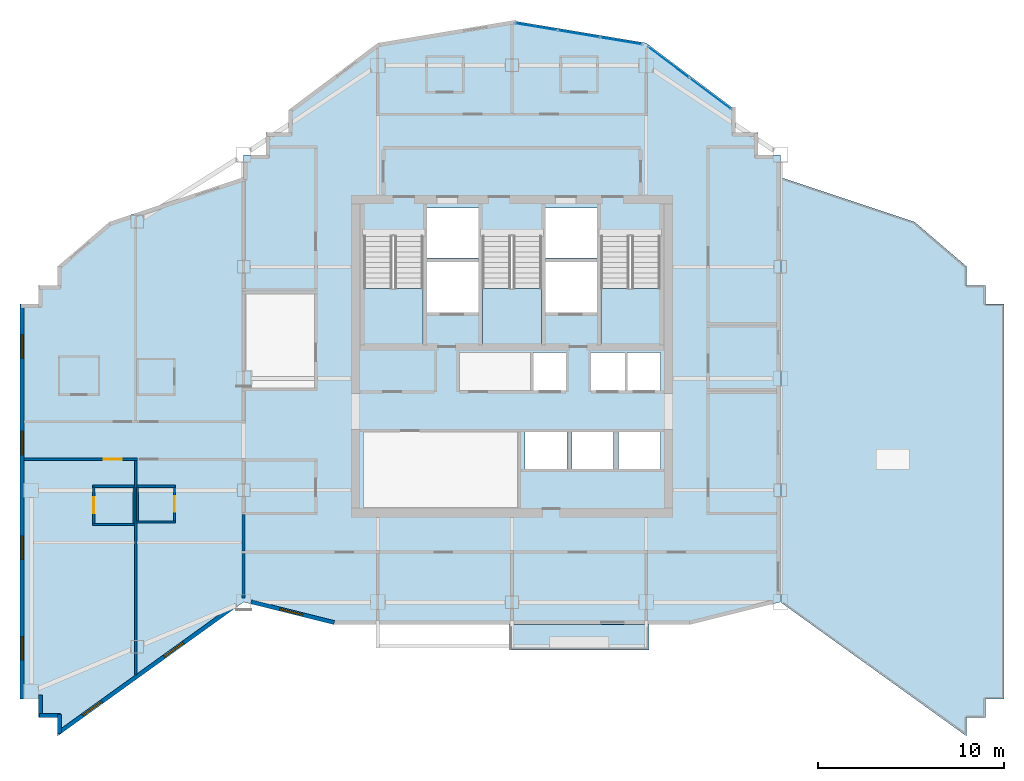
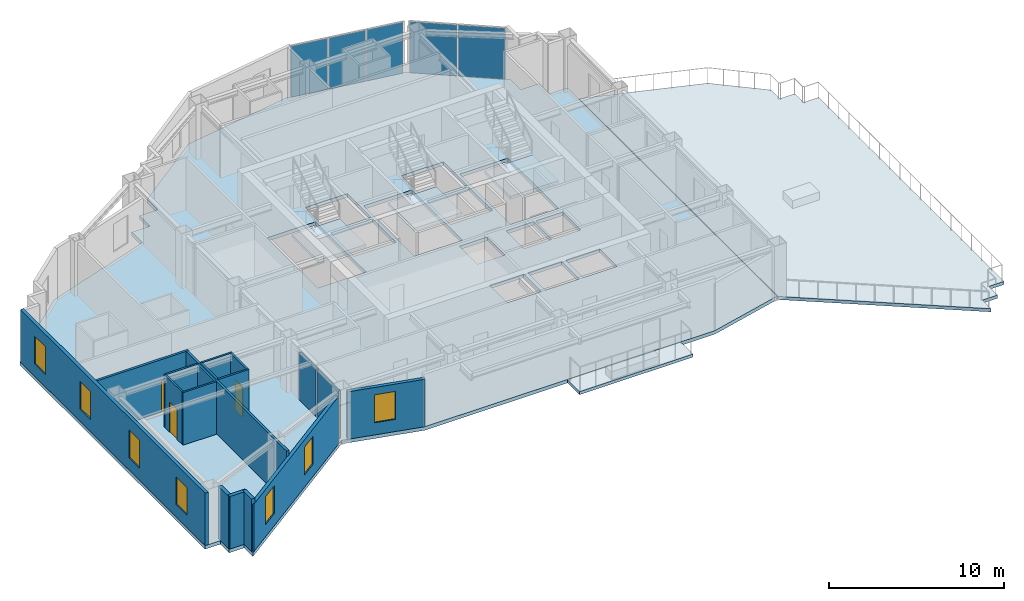
# One storey, part 4 of 10: 18 walls, 7 windows, 6 slabs, 5 plates, 3 doors, 10 openings, 5 elements without a shape of their own.
"""IFC4 building model written with IfcOpenShell, lengths in metres."""

from ifc_helpers import new_model, si_unit, direction, frame, frame_2d, origin, origin_2d, place, context, subcontext, project, spatial, polyline, rectangle, outline, extrude, material, layer, layer_set, type_object, element, fill, aggregate, save


model = new_model("IFC4")

# Units and contexts
model_context = context("Model", 3, precision=1e-05, world=origin(), true_north=direction((0.0, 1.0)))
body_context = subcontext(model_context, "Body", "Model", "MODEL_VIEW")
ifc_project = project(units=[si_unit("LENGTHUNIT", "METRE"), si_unit("AREAUNIT", "SQUARE_METRE"), si_unit("VOLUMEUNIT", "CUBIC_METRE"), si_unit("PLANEANGLEUNIT", "RADIAN"), si_unit("MASSUNIT", "GRAM", prefix="KILO")], contexts=[model_context])

# Site, building, storey
site_placement = place(None, origin())
site = spatial("IfcSite", under=ifc_project, at=site_placement, CompositionType="ELEMENT")
building_placement = place(site_placement, origin())
building = spatial("IfcBuilding", under=site, at=building_placement, Name="Haolan Belvedere Tower", CompositionType="ELEMENT")
storey_placement = place(building_placement, frame((0.0, 0.0, 235.199951171875)))
storey = spatial("IfcBuildingStorey", under=building, at=storey_placement, Name="L59", CompositionType="ELEMENT", Elevation=235.199951171875)

# Curtain wall, plates
ifc_material_1 = material(Name="Anodised champagne-silver aluminium 6063-T6 and Low-E glass", Category="aluminium")
ifc_layer_1 = layer(ifc_material_1, 0.14501953125, Name="Anodised champagne-silver aluminium 6063-T6 and Low-E glass")
ifc_layer_set_1 = layer_set([ifc_layer_1], Name="Anodised champagne-silver aluminium 6063-T6 and Low-E glass")
curtain_wall_type = type_object("IfcCurtainWallType", Name="CW-SYS-05", PredefinedType="NOTDEFINED", material=ifc_layer_set_1)
curtain_wall_1_placement = place(storey_placement, origin())
curtain_wall_1 = element("IfcCurtainWall", 1, at=curtain_wall_1_placement, inside=storey, type_object=curtain_wall_type, Name="L59 CW-SYS-05 ribbon curtain wall 8.1", PredefinedType="NOTDEFINED")
ifc_material_2 = material(Name="Double silver Low-E laminated insulating glass", Category="glass")
ifc_layer_2 = layer(ifc_material_2, 0.02197265625, Name="Double silver Low-E laminated insulating glass")
ifc_layer_set_2 = layer_set([ifc_layer_2], Name="Double silver Low-E laminated insulating glass")
plate_type = type_object("IfcPlateType", Name="CW-SYS-05-PNL", PredefinedType="CURTAIN_PANEL", material=ifc_layer_set_2)
plate_1_placement = place(storey_placement, frame((49.03955078125, 48.8828125, 0.0498046875), z_axis=(0.0, 0.0, 1.0), x_axis=(-0.799997871638, 0.600002837806, 0.0)))
plate_1 = element("IfcPlate", 2, at=plate_1_placement, type_object=plate_type, Name="CW-05 panel 1.1", PredefinedType="CURTAIN_PANEL", context=body_context, shape_type="SweptSolid", body=[
    extrude(rectangle(XDim=2.738037109375, YDim=0.02197265625, at=origin_2d()), origin(), (0.0, 0.0, 1.0), 3.570068359375),
])
plate_2_placement = place(storey_placement, frame((46.805908203125, 50.55810546875, 0.0498046875), z_axis=(0.0, 0.0, 1.0), x_axis=(-0.799997871638, 0.600002837806, 0.0)))
plate_2 = element("IfcPlate", 3, at=plate_2_placement, type_object=plate_type, Name="CW-05 panel 2.1", PredefinedType="CURTAIN_PANEL", context=body_context, shape_type="SweptSolid", body=[
    extrude(rectangle(XDim=2.738037109375, YDim=0.02197265625, at=origin_2d()), origin(), (0.0, 0.0, 1.0), 3.570068359375),
])
aggregate(curtain_wall_1, [plate_1, plate_2])

curtain_wall_2_placement = place(storey_placement, origin())
curtain_wall_2 = element("IfcCurtainWall", 4, at=curtain_wall_2_placement, inside=storey, type_object=curtain_wall_type, Name="L59 CW-SYS-05 ribbon curtain wall 9.1", PredefinedType="NOTDEFINED")
plate_3_placement = place(storey_placement, frame((44.257568359375, 51.712158203125, 0.0498046875), z_axis=(0.0, 0.0, 1.0), x_axis=(-0.98639276122, 0.164405962825, 0.0)))
plate_3 = element("IfcPlate", 5, at=plate_3_placement, type_object=plate_type, Name="CW-05 panel 1.1", PredefinedType="CURTAIN_PANEL", context=body_context, shape_type="SweptSolid", body=[
    extrude(rectangle(XDim=2.24365234375, YDim=0.02197265625, at=origin_2d()), origin(), (0.0, 0.0, 1.0), 3.570068359375),
])
plate_4_placement = place(storey_placement, frame((41.977783203125, 52.09228515625, 0.0498046875), z_axis=(0.0, 0.0, 1.0), x_axis=(-0.98639276122, 0.164405962825, 0.0)))
plate_4 = element("IfcPlate", 6, at=plate_4_placement, type_object=plate_type, Name="CW-05 panel 2.1", PredefinedType="CURTAIN_PANEL", context=body_context, shape_type="SweptSolid", body=[
    extrude(rectangle(XDim=2.270751953125, YDim=0.02197265625, at=origin_2d()), origin(), (0.0, 0.0, 1.0), 3.570068359375),
])
plate_5_placement = place(storey_placement, frame((39.697998046875, 52.47216796875, 0.0498046875), z_axis=(0.0, 0.0, 1.0), x_axis=(-0.98639276122, 0.164405962825, 0.0)))
plate_5 = element("IfcPlate", 7, at=plate_5_placement, type_object=plate_type, Name="CW-05 panel 3.1", PredefinedType="CURTAIN_PANEL", context=body_context, shape_type="SweptSolid", body=[
    extrude(rectangle(XDim=2.24365234375, YDim=0.02197265625, at=origin_2d()), origin(), (0.0, 0.0, 1.0), 3.570068359375),
])
aggregate(curtain_wall_2, [plate_3, plate_4, plate_5])

# Slabs
ifc_material_3 = material(Name="Concrete C40/50", Category="concrete")
ifc_layer_3 = layer(ifc_material_3, 0.2099609375, Name="Concrete C40/50")
ifc_layer_set_3 = layer_set([ifc_layer_3], Name="Concrete C40/50")
slab_type_1 = type_object("IfcSlabType", Name="SL-BAL-210", PredefinedType="FLOOR", material=ifc_layer_set_3)
slab_1_placement = place(storey_placement, frame((0.0, 0.0, -0.22998046875)))
element("IfcSlab", 8, at=slab_1_placement, inside=storey, type_object=slab_type_1, Name="L59 structural tree-planter balcony slab BAL-L59-S1", PredefinedType="FLOOR", context=body_context, shape_type="SweptSolid", body=[
    extrude(outline(polyline([(38.25, 19.02001953125), (45.75, 19.02001953125), (45.75, 20.39990234375), (38.25, 20.39990234375), (38.25, 19.02001953125)])), origin(), (0.0, 0.0, 1.0), 0.2099609375),
])
ifc_layer_4 = layer(ifc_material_3, 0.25, Name="Concrete C40/50")
ifc_layer_set_4 = layer_set([ifc_layer_4], Name="Concrete C40/50")
slab_type_2 = type_object("IfcSlabType", Name="SL-FLR-250", PredefinedType="FLOOR", material=ifc_layer_set_4)
slab_2_placement = place(storey_placement, frame((0.0, 0.0, -0.25)))
element("IfcSlab", 9, at=slab_2_placement, inside=storey, type_object=slab_type_2, Name="L59 structural floor slab", PredefinedType="FLOOR", context=body_context, shape_type="SweptSolid", body=[
    extrude(outline(polyline([(24.0, 21.60009765625), (28.800048828125, 20.39990234375), (48.0, 20.39990234375), (52.800048828125, 21.60009765625), (52.800048828125, 45.60009765625), (51.60009765625, 45.60009765625), (51.60009765625, 46.800048828125), (50.39990234375, 46.800048828125), (50.39990234375, 48.0), (45.60009765625, 51.60009765625), (38.39990234375, 52.800048828125), (31.199951171875, 51.60009765625), (26.39990234375, 48.0), (26.39990234375, 46.800048828125), (25.199951171875, 46.800048828125), (25.199951171875, 45.60009765625), (24.0, 45.60009765625), (24.0, 44.39990234375), (16.800048828125, 42.0), (14.0, 39.60009765625), (14.0, 38.60009765625), (13.0, 38.60009765625), (13.0, 37.60009765625), (12.0, 37.60009765625), (12.0, 16.800048828125), (12.0, 16.39990234375), (13.0, 16.39990234375), (13.0, 15.39990234375), (14.0, 15.39990234375), (14.0, 14.39990234375), (24.0, 21.60009765625)]), holes=[polyline([(30.449951171875, 41.22998046875), (30.449951171875, 35.449951171875), (33.6298828125, 35.449951171875), (33.6298828125, 41.22998046875), (30.449951171875, 41.22998046875)]), polyline([(36.81005859375, 41.22998046875), (36.81005859375, 35.449951171875), (39.989990234375, 35.449951171875), (39.989990234375, 41.22998046875), (36.81005859375, 41.22998046875)]), polyline([(43.169921875, 41.22998046875), (43.169921875, 35.449951171875), (46.35009765625, 35.449951171875), (46.35009765625, 41.22998046875), (43.169921875, 41.22998046875)]), polyline([(33.830078125, 40.050048828125), (36.610107421875, 40.050048828125), (36.610107421875, 42.75), (33.830078125, 42.75), (33.830078125, 40.050048828125)]), polyline([(33.830078125, 37.14990234375), (36.610107421875, 37.14990234375), (36.610107421875, 39.85009765625), (33.830078125, 39.85009765625), (33.830078125, 37.14990234375)]), polyline([(40.18994140625, 40.050048828125), (42.969970703125, 40.050048828125), (42.969970703125, 42.75), (40.18994140625, 42.75), (40.18994140625, 40.050048828125)]), polyline([(40.18994140625, 37.14990234375), (42.969970703125, 37.14990234375), (42.969970703125, 39.85009765625), (40.18994140625, 39.85009765625), (40.18994140625, 37.14990234375)]), polyline([(39.5400390625, 32.949951171875), (41.389892578125, 32.949951171875), (41.389892578125, 35.0), (39.5400390625, 35.0), (39.5400390625, 32.949951171875)]), polyline([(42.6201171875, 32.949951171875), (44.469970703125, 32.949951171875), (44.469970703125, 35.0), (42.6201171875, 35.0), (42.6201171875, 32.949951171875)]), polyline([(44.580078125, 32.949951171875), (46.3798828125, 32.949951171875), (46.3798828125, 35.0), (44.580078125, 35.0), (44.580078125, 32.949951171875)]), polyline([(39.10009765625, 28.75), (41.340087890625, 28.75), (41.340087890625, 30.75), (39.10009765625, 30.75), (39.10009765625, 28.75)]), polyline([(41.610107421875, 28.75), (43.85009765625, 28.75), (43.85009765625, 30.75), (41.610107421875, 30.75), (41.610107421875, 28.75)]), polyline([(44.1201171875, 28.75), (46.360107421875, 28.75), (46.360107421875, 30.75), (44.1201171875, 30.75), (44.1201171875, 28.75)])]), origin(), (0.0, 0.0, 1.0), 0.25),
])

# Stair, slab
stair_type = type_object("IfcStairType", Name="STR-DL-22R-175", PredefinedType="HALF_TURN_STAIR", material=ifc_material_3)
stair_1_placement = place(storey_placement, origin())
stair_1 = element("IfcStair", 10, at=stair_1_placement, inside=storey, type_object=stair_type, Name="L59 Smokeproof Core Exit Stair ST1", PredefinedType="HALF_TURN_STAIR")
ifc_layer_5 = layer(ifc_material_3, 0.199951171875, Name="Concrete C40/50")
ifc_layer_set_5 = layer_set([ifc_layer_5], Name="Concrete C40/50")
slab_type_3 = type_object("IfcSlabType", Name="SL-LAND-200", PredefinedType="LANDING", material=ifc_layer_set_5)
slab_3_placement = place(storey_placement, frame((0.0, 0.0, 1.72509765625)))
slab_3 = element("IfcSlab", 11, at=slab_3_placement, type_object=slab_type_3, Name="ST1 landing 1", PredefinedType="LANDING", context=body_context, shape_type="SweptSolid", body=[
    extrude(outline(polyline([(30.449951171875, 38.429931640625), (30.449951171875, 35.449951171875), (33.6298828125, 35.449951171875), (33.6298828125, 38.429931640625), (30.449951171875, 38.429931640625)])), origin(), (0.0, 0.0, 1.0), 0.199951171875),
])
aggregate(stair_1, [slab_3])

stair_2_placement = place(storey_placement, origin())
stair_2 = element("IfcStair", 12, at=stair_2_placement, inside=storey, type_object=stair_type, Name="L59 Smokeproof Core Exit Stair ST3", PredefinedType="HALF_TURN_STAIR")
slab_4_placement = place(storey_placement, frame((0.0, 0.0, 1.72509765625)))
slab_4 = element("IfcSlab", 13, at=slab_4_placement, type_object=slab_type_3, Name="ST3 landing 1", PredefinedType="LANDING", context=body_context, shape_type="SweptSolid", body=[
    extrude(outline(polyline([(36.81005859375, 38.429931640625), (36.81005859375, 35.449951171875), (39.989990234375, 35.449951171875), (39.989990234375, 38.429931640625), (36.81005859375, 38.429931640625)])), origin(), (0.0, 0.0, 1.0), 0.199951171875),
])
aggregate(stair_2, [slab_4])

stair_3_placement = place(storey_placement, origin())
stair_3 = element("IfcStair", 14, at=stair_3_placement, inside=storey, type_object=stair_type, Name="L59 Smokeproof Core Exit Stair ST2", PredefinedType="HALF_TURN_STAIR")
slab_5_placement = place(storey_placement, frame((0.0, 0.0, 1.72509765625)))
slab_5 = element("IfcSlab", 15, at=slab_5_placement, type_object=slab_type_3, Name="ST2 landing 1", PredefinedType="LANDING", context=body_context, shape_type="SweptSolid", body=[
    extrude(outline(polyline([(43.169921875, 38.429931640625), (43.169921875, 35.449951171875), (46.35009765625, 35.449951171875), (46.35009765625, 38.429931640625), (43.169921875, 38.429931640625)])), origin(), (0.0, 0.0, 1.0), 0.199951171875),
])
aggregate(stair_3, [slab_5])

# Slab
ifc_layer_6 = layer(ifc_material_3, 0.219970703125, Name="Concrete C40/50")
ifc_layer_set_6 = layer_set([ifc_layer_6], Name="Concrete C40/50")
slab_type_4 = type_object("IfcSlabType", Name="SL-TER-220", PredefinedType="FLOOR", material=ifc_layer_set_6)
slab_6_placement = place(storey_placement, frame((0.0, 0.0, -0.239990234375)))
element("IfcSlab", 16, at=slab_6_placement, inside=storey, type_object=slab_type_4, Name="L59 planted garden terrace slab 1", PredefinedType="FLOOR", context=body_context, shape_type="SweptSolid", body=[
    extrude(outline(polyline([(62.800048828125, 14.39990234375), (62.800048828125, 15.396240234375), (62.80029296875, 15.39990234375), (62.8037109375, 15.39990234375), (63.800048828125, 15.39990234375), (63.800048828125, 16.396240234375), (63.80029296875, 16.39990234375), (63.8037109375, 16.39990234375), (64.800048828125, 16.39990234375), (64.800048828125, 37.60009765625), (63.8037109375, 37.60009765625), (63.80029296875, 37.60009765625), (63.800048828125, 37.603759765625), (63.800048828125, 38.60009765625), (62.8037109375, 38.60009765625), (62.80029296875, 38.60009765625), (62.800048828125, 38.603759765625), (62.800048828125, 39.60009765625), (60.0, 42.0), (52.85009765625, 44.38330078125), (52.85009765625, 21.56396484375), (62.800048828125, 14.39990234375)])), origin(), (0.0, 0.0, 1.0), 0.219970703125),
])

# Wall, openings, windows
ifc_material_4 = material(Name="Precast concrete C40/50", Category="concrete")
ifc_layer_7 = layer(ifc_material_4, 0.219970703125, Name="Precast concrete C40/50")
ifc_layer_set_7 = layer_set([ifc_layer_7], Name="Precast concrete C40/50")
wall_type_1 = type_object("IfcWallType", Name="WL-EXT-220", PredefinedType="SOLIDWALL", material=ifc_layer_set_7)
wall_1_placement = place(storey_placement, frame((12.110107421875, 37.544921875, 0.0), z_axis=(0.0, 0.0, 1.0), x_axis=(0.0, -1.0, 0.0)))
wall_1 = element("IfcWall", 17, at=wall_1_placement, inside=storey, type_object=wall_type_1, Name="L59 pale-metal exterior spandrel wall 23.1", PredefinedType="SOLIDWALL", context=body_context, shape_type="SweptSolid", body=[
    extrude(rectangle(XDim=21.14501953125, YDim=0.219970703125, at=frame_2d((10.572509765625, 0.0))), origin(), (0.0, 0.0, 1.0), 3.670166015625),
])
opening_1_placement = place(wall_1_placement, frame((1.60009765625, 0.0, 0.85009765625)))
opening_1 = element("IfcOpeningElement", 18, at=opening_1_placement, cuts=wall_1, Name="Opening W-04", PredefinedType="OPENING", context=body_context, shape_type="SweptSolid", body=[
    extrude(rectangle(XDim=1.25, YDim=1.949951171875, at=frame_2d((0.625, 0.97509765625))), frame((0.0, 0.119873046875, 0.0), z_axis=(0.0, -1.0, 0.0), x_axis=(1.0, 0.0, 0.0)), (0.0, 0.0, 1.0), 0.239990234375),
])
opening_2_placement = place(wall_1_placement, frame((6.7900390625, 0.0, 0.85009765625)))
opening_2 = element("IfcOpeningElement", 19, at=opening_2_placement, cuts=wall_1, Name="Opening W-04", PredefinedType="OPENING", context=body_context, shape_type="SweptSolid", body=[
    extrude(rectangle(XDim=1.25, YDim=1.949951171875, at=frame_2d((0.625, 0.97509765625))), frame((0.0, 0.119873046875, 0.0), z_axis=(0.0, -1.0, 0.0), x_axis=(1.0, 0.0, 0.0)), (0.0, 0.0, 1.0), 0.239990234375),
])
opening_3_placement = place(wall_1_placement, frame((12.39990234375, 0.0, 0.85009765625)))
opening_3 = element("IfcOpeningElement", 20, at=opening_3_placement, cuts=wall_1, Name="Opening W-04", PredefinedType="OPENING", context=body_context, shape_type="SweptSolid", body=[
    extrude(rectangle(XDim=1.25, YDim=1.949951171875, at=frame_2d((0.625, 0.97509765625))), frame((0.0, 0.119873046875, 0.0), z_axis=(0.0, -1.0, 0.0), x_axis=(1.0, 0.0, 0.0)), (0.0, 0.0, 1.0), 0.239990234375),
])
opening_4_placement = place(wall_1_placement, frame((17.800048828125, 0.0, 0.85009765625)))
opening_4 = element("IfcOpeningElement", 21, at=opening_4_placement, cuts=wall_1, Name="Opening W-04", PredefinedType="OPENING", context=body_context, shape_type="SweptSolid", body=[
    extrude(rectangle(XDim=1.25, YDim=1.949951171875, at=frame_2d((0.625, 0.97509765625))), frame((0.0, 0.119873046875, 0.0), z_axis=(0.0, -1.0, 0.0), x_axis=(1.0, 0.0, 0.0)), (0.0, 0.0, 1.0), 0.239990234375),
])
ifc_material_5 = material(Name="Anodised aluminium 6063-T6 and Low-E glass", Category="aluminium")
window_type = type_object("IfcWindowType", Name="WN-DECO-Z4", PartitioningType="SINGLE_PANEL", PredefinedType="WINDOW", material=ifc_material_5)
window_1_placement = place(opening_1_placement, origin())
window_1 = element("IfcWindow", 22, at=window_1_placement, inside=storey, type_object=window_type, Name="L59 Art Deco chevron window 1", OverallHeight=1.949951171875, OverallWidth=1.25, PartitioningType="SINGLE_PANEL", PredefinedType="WINDOW", context=body_context, shape_type="SweptSolid", body=[
    extrude(rectangle(XDim=1.25, YDim=1.949951171875, at=frame_2d((0.625, 0.97509765625))), frame((0.0, 0.030029296875, 0.0), z_axis=(0.0, -1.0, 0.0), x_axis=(1.0, 0.0, 0.0)), (0.0, 0.0, 1.0), 0.06005859375),
])
fill(opening_1, window_1)
window_2_placement = place(opening_2_placement, origin())
window_2 = element("IfcWindow", 23, at=window_2_placement, inside=storey, type_object=window_type, Name="L59 Art Deco chevron window 2", OverallHeight=1.949951171875, OverallWidth=1.25, PartitioningType="SINGLE_PANEL", PredefinedType="WINDOW", context=body_context, shape_type="SweptSolid", body=[
    extrude(rectangle(XDim=1.25, YDim=1.949951171875, at=frame_2d((0.625, 0.97509765625))), frame((0.0, 0.030029296875, 0.0), z_axis=(0.0, -1.0, 0.0), x_axis=(1.0, 0.0, 0.0)), (0.0, 0.0, 1.0), 0.06005859375),
])
fill(opening_2, window_2)
window_3_placement = place(opening_3_placement, origin())
window_3 = element("IfcWindow", 24, at=window_3_placement, inside=storey, type_object=window_type, Name="L59 Art Deco chevron window 3", OverallHeight=1.949951171875, OverallWidth=1.25, PartitioningType="SINGLE_PANEL", PredefinedType="WINDOW", context=body_context, shape_type="SweptSolid", body=[
    extrude(rectangle(XDim=1.25, YDim=1.949951171875, at=frame_2d((0.625, 0.97509765625))), frame((0.0, 0.030029296875, 0.0), z_axis=(0.0, -1.0, 0.0), x_axis=(1.0, 0.0, 0.0)), (0.0, 0.0, 1.0), 0.06005859375),
])
fill(opening_3, window_3)
window_4_placement = place(opening_4_placement, origin())
window_4 = element("IfcWindow", 25, at=window_4_placement, inside=storey, type_object=window_type, Name="L59 Art Deco chevron window 4", OverallHeight=1.949951171875, OverallWidth=1.25, PartitioningType="SINGLE_PANEL", PredefinedType="WINDOW", context=body_context, shape_type="SweptSolid", body=[
    extrude(rectangle(XDim=1.25, YDim=1.949951171875, at=frame_2d((0.625, 0.97509765625))), frame((0.0, 0.030029296875, 0.0), z_axis=(0.0, -1.0, 0.0), x_axis=(1.0, 0.0, 0.0)), (0.0, 0.0, 1.0), 0.06005859375),
])
fill(opening_4, window_4)

# Walls
wall_2_placement = place(storey_placement, frame((13.110107421875, 16.6201171875, 0.0), z_axis=(0.0, 0.0, 1.0), x_axis=(0.0, -1.0, 0.0)))
element("IfcWall", 26, at=wall_2_placement, inside=storey, type_object=wall_type_1, Name="L59 pale-metal exterior spandrel wall 25.1", PredefinedType="SOLIDWALL", context=body_context, shape_type="SweptSolid", body=[
    extrude(rectangle(XDim=1.1650390625, YDim=0.219970703125, at=frame_2d((0.58251953125, 0.0))), origin(), (0.0, 0.0, 1.0), 3.670166015625),
])
wall_3_placement = place(storey_placement, frame((13.054931640625, 15.510009765625, 0.0), z_axis=(0.0, 0.0, 1.0), x_axis=(1.0, 0.0, 0.0)))
element("IfcWall", 27, at=wall_3_placement, inside=storey, type_object=wall_type_1, Name="L59 pale-metal exterior spandrel wall 26.1", PredefinedType="SOLIDWALL", context=body_context, shape_type="SweptSolid", body=[
    extrude(rectangle(XDim=1.110107421875, YDim=0.219970703125, at=frame_2d((0.55517578125, 0.0))), origin(), (0.0, 0.0, 1.0), 3.670166015625),
])
wall_4_placement = place(storey_placement, frame((14.110107421875, 15.56494140625, 0.0), z_axis=(0.0, 0.0, 1.0), x_axis=(0.0, -1.0, 0.0)))
element("IfcWall", 28, at=wall_4_placement, inside=storey, type_object=wall_type_1, Name="L59 pale-metal exterior spandrel wall 27.1", PredefinedType="SOLIDWALL", context=body_context, shape_type="SweptSolid", body=[
    extrude(rectangle(XDim=1.005126953125, YDim=0.219970703125, at=frame_2d((0.50244140625, 0.0))), origin(), (0.0, 0.0, 1.0), 3.670166015625),
])

# Wall, openings, windows
wall_5_placement = place(storey_placement, frame((14.0654296875, 14.58251953125, 0.0), z_axis=(0.0, 0.0, 1.0), x_axis=(0.811523708458, 0.584319493608, 0.0)))
wall_5 = element("IfcWall", 29, at=wall_5_placement, inside=storey, type_object=wall_type_1, Name="L59 pale-metal exterior spandrel wall 28.1", PredefinedType="SOLIDWALL", context=body_context, shape_type="SweptSolid", body=[
    extrude(rectangle(XDim=11.7587890625, YDim=0.219970703125, at=frame_2d((5.87939453125, 0.0))), origin(), (0.0, 0.0, 1.0), 3.31494140625),
])
opening_5_placement = place(wall_5_placement, frame((1.60009765625, 0.0, 0.85009765625)))
opening_5 = element("IfcOpeningElement", 30, at=opening_5_placement, cuts=wall_5, Name="Opening W-04", PredefinedType="OPENING", context=body_context, shape_type="SweptSolid", body=[
    extrude(rectangle(XDim=1.25, YDim=1.949951171875, at=frame_2d((0.625, 0.97509765625))), frame((0.0, 0.119873046875, 0.0), z_axis=(0.0, -1.0, 0.0), x_axis=(1.0, 0.0, 0.0)), (0.0, 0.0, 1.0), 0.239990234375),
])
opening_6_placement = place(wall_5_placement, frame((7.0, 0.0, 0.85009765625)))
opening_6 = element("IfcOpeningElement", 31, at=opening_6_placement, cuts=wall_5, Name="Opening W-04", PredefinedType="OPENING", context=body_context, shape_type="SweptSolid", body=[
    extrude(rectangle(XDim=1.25, YDim=1.949951171875, at=frame_2d((0.625, 0.97509765625))), frame((0.0, 0.119873046875, 0.0), z_axis=(0.0, -1.0, 0.0), x_axis=(1.0, 0.0, 0.0)), (0.0, 0.0, 1.0), 0.239990234375),
])
window_5_placement = place(opening_5_placement, origin())
window_5 = element("IfcWindow", 32, at=window_5_placement, inside=storey, type_object=window_type, Name="L59 Art Deco chevron window 1", OverallHeight=1.949951171875, OverallWidth=1.25, PartitioningType="SINGLE_PANEL", PredefinedType="WINDOW", context=body_context, shape_type="SweptSolid", body=[
    extrude(rectangle(XDim=1.25, YDim=1.949951171875, at=frame_2d((0.625, 0.97509765625))), frame((0.0, 0.030029296875, 0.0), z_axis=(0.0, -1.0, 0.0), x_axis=(1.0, 0.0, 0.0)), (0.0, 0.0, 1.0), 0.06005859375),
])
fill(opening_5, window_5)
window_6_placement = place(opening_6_placement, origin())
window_6 = element("IfcWindow", 33, at=window_6_placement, inside=storey, type_object=window_type, Name="L59 Art Deco chevron window 2", OverallHeight=1.949951171875, OverallWidth=1.25, PartitioningType="SINGLE_PANEL", PredefinedType="WINDOW", context=body_context, shape_type="SweptSolid", body=[
    extrude(rectangle(XDim=1.25, YDim=1.949951171875, at=frame_2d((0.625, 0.97509765625))), frame((0.0, 0.030029296875, 0.0), z_axis=(0.0, -1.0, 0.0), x_axis=(1.0, 0.0, 0.0)), (0.0, 0.0, 1.0), 0.06005859375),
])
fill(opening_6, window_6)

# Wall, opening, window
wall_6_placement = place(storey_placement, frame((24.39208984375, 21.615478515625, 0.0), z_axis=(0.0, 0.0, 1.0), x_axis=(0.970133159038, -0.242572986408, 0.0)))
wall_6 = element("IfcWall", 34, at=wall_6_placement, inside=storey, type_object=wall_type_1, Name="L59 pale-metal exterior spandrel wall 29.1", PredefinedType="SOLIDWALL", context=body_context, shape_type="SweptSolid", body=[
    extrude(rectangle(XDim=4.612548828125, YDim=0.219970703125, at=frame_2d((2.30615234375, 0.0))), origin(), (0.0, 0.0, 1.0), 3.31494140625),
])
opening_7_placement = place(wall_6_placement, frame((1.60009765625, 0.0, 0.85009765625)))
opening_7 = element("IfcOpeningElement", 35, at=opening_7_placement, cuts=wall_6, Name="Opening W-04", PredefinedType="OPENING", context=body_context, shape_type="SweptSolid", body=[
    extrude(rectangle(XDim=1.25, YDim=1.949951171875, at=frame_2d((0.625, 0.97509765625))), frame((0.0, 0.119873046875, 0.0), z_axis=(0.0, -1.0, 0.0), x_axis=(1.0, 0.0, 0.0)), (0.0, 0.0, 1.0), 0.239990234375),
])
window_7_placement = place(opening_7_placement, origin())
window_7 = element("IfcWindow", 36, at=window_7_placement, inside=storey, type_object=window_type, Name="L59 Art Deco chevron window 1", OverallHeight=1.949951171875, OverallWidth=1.25, PartitioningType="SINGLE_PANEL", PredefinedType="WINDOW", context=body_context, shape_type="SweptSolid", body=[
    extrude(rectangle(XDim=1.25, YDim=1.949951171875, at=frame_2d((0.625, 0.97509765625))), frame((0.0, 0.030029296875, 0.0), z_axis=(0.0, -1.0, 0.0), x_axis=(1.0, 0.0, 0.0)), (0.0, 0.0, 1.0), 0.06005859375),
])
fill(opening_7, window_7)

# Wall
ifc_material_6 = material(Name="Double gypsum acoustic stud partition", Category="masonry")
ifc_layer_8 = layer(ifc_material_6, 0.14990234375, Name="Double gypsum acoustic stud partition")
ifc_layer_set_8 = layer_set([ifc_layer_8], Name="Double gypsum acoustic stud partition")
wall_type_2 = type_object("IfcWallType", Name="WL-PART-150", PredefinedType="PARTITIONING", material=ifc_layer_set_8)
wall_7_placement = place(storey_placement, frame((24.0, 21.818603515625, 0.0), z_axis=(0.0, 0.0, 1.0), x_axis=(0.0, 1.0, 0.0)))
element("IfcWall", 37, at=wall_7_placement, inside=storey, type_object=wall_type_2, Name="L59 interior partition IW-L59-KS1-W", PredefinedType="PARTITIONING", context=body_context, shape_type="SweptSolid", body=[
    extrude(rectangle(XDim=2.4013671875, YDim=0.14990234375, at=frame_2d((1.20068359375, 0.0))), origin(), (0.0, 0.0, 1.0), 3.31494140625),
])

# Wall, opening, door
wall_8_placement = place(storey_placement, frame((12.2119140625, 29.27001953125, 0.0), z_axis=(0.0, 0.0, 1.0), x_axis=(1.0, 0.0, 0.0)))
wall_8 = element("IfcWall", 38, at=wall_8_placement, inside=storey, type_object=wall_type_2, Name="L59 interior partition IW-L59-T2S1-N", PredefinedType="PARTITIONING", context=body_context, shape_type="SweptSolid", body=[
    extrude(rectangle(XDim=6.09814453125, YDim=0.14990234375, at=frame_2d((3.049072265625, 0.0))), origin(), (0.0, 0.0, 1.0), 3.670166015625),
])
opening_8_placement = place(wall_8_placement, frame((5.23486328125, 0.0, 0.0), z_axis=(0.0, 0.0, 1.0), x_axis=(-1.0, 0.0, 0.0)))
opening_8 = element("IfcOpeningElement", 39, at=opening_8_placement, cuts=wall_8, Name="Opening ID-01", PredefinedType="OPENING", context=body_context, shape_type="SweptSolid", body=[
    extrude(rectangle(XDim=0.949951171875, YDim=2.179931640625, at=frame_2d((0.47509765625, 1.08984375))), frame((0.0, 0.0849609375, 0.0), z_axis=(0.0, -1.0, 0.0), x_axis=(1.0, 0.0, 0.0)), (0.0, 0.0, 1.0), 0.169921875),
])
ifc_material_7 = material(Name="Acoustic walnut veneer fire-rated timber", Category="wood")
door_type_1 = type_object("IfcDoorType", Name="DR-SUITE-950", OperationType="NOTDEFINED", PredefinedType="DOOR", material=ifc_material_7)
door_1_placement = place(opening_8_placement, origin())
door_1 = element("IfcDoor", 40, at=door_1_placement, inside=storey, type_object=door_type_1, Name="L59 door ID-L59-T2S1-ENT", OperationType="SINGLE_SWING_LEFT", OverallHeight=2.179931640625, OverallWidth=0.949951171875, PredefinedType="DOOR", context=body_context, shape_type="SweptSolid", body=[
    extrude(rectangle(XDim=0.949951171875, YDim=2.179931640625, at=frame_2d((0.47509765625, 1.08984375))), frame((0.0, 0.02490234375, 0.0), z_axis=(0.0, -1.0, 0.0), x_axis=(1.0, 0.0, 0.0)), (0.0, 0.0, 1.0), 0.050048828125),
])
fill(opening_8, door_1)

# Walls
wall_9_placement = place(storey_placement, frame((18.2099609375, 17.6923828125, 0.0), z_axis=(0.0, 0.0, 1.0), x_axis=(0.0, 1.0, 0.0)))
element("IfcWall", 41, at=wall_9_placement, inside=storey, type_object=wall_type_2, Name="L59 interior partition IW-L59-T2S1-E", PredefinedType="PARTITIONING", context=body_context, shape_type="SweptSolid", body=[
    extrude(rectangle(XDim=11.517578125, YDim=0.14990234375, at=frame_2d((5.7587890625, 0.0))), origin(), (0.0, 0.0, 1.0), 3.670166015625),
])
wall_10_placement = place(storey_placement, frame((24.0, 24.340087890625, 0.0), z_axis=(0.0, 0.0, 1.0), x_axis=(0.0, 1.0, 0.0)))
element("IfcWall", 42, at=wall_10_placement, inside=storey, type_object=wall_type_2, Name="L59 interior partition IW-L59-T2S2-E", PredefinedType="PARTITIONING", context=body_context, shape_type="SweptSolid", body=[
    extrude(rectangle(XDim=1.949951171875, YDim=0.14990234375, at=frame_2d((0.97509765625, 0.0))), origin(), (0.0, 0.0, 1.0), 3.31494140625),
])
ifc_material_8 = material(Name="Moisture-resistant gypsum tile partition", Category="masonry")
ifc_layer_9 = layer(ifc_material_8, 0.1201171875, Name="Moisture-resistant gypsum tile partition")
ifc_layer_set_9 = layer_set([ifc_layer_9], Name="Moisture-resistant gypsum tile partition")
wall_type_3 = type_object("IfcWallType", Name="WL-WET-120", PredefinedType="PARTITIONING", material=ifc_layer_set_9)
for number, where, z_axis, x_axis, name in (
    (43, (15.89990234375, 27.820068359375, 0.0), (0.0, 0.0, 1.0), (1.0, 0.0, 0.0), "L59 interior partition IW-L59-T2S1-BN"),
    (44, (15.89990234375, 25.77001953125, 0.0), (0.0, 0.0, 1.0), (1.0, 0.0, 0.0), "L59 interior partition IW-L59-T2S1-BS"),
):
    element("IfcWall", number, at=place(storey_placement, frame(where, z_axis=z_axis, x_axis=x_axis)), inside=storey, type_object=wall_type_3, Name=name, PredefinedType="PARTITIONING", context=body_context, shape_type="SweptSolid", body=[
        extrude(rectangle(XDim=2.25, YDim=0.1201171875, at=frame_2d((1.125, 0.0))), origin(), (0.0, 0.0, 1.0), 3.670166015625),
    ])

# Wall, opening, door
wall_11_placement = place(storey_placement, frame((15.9599609375, 25.81494140625, 0.0), z_axis=(0.0, 0.0, 1.0), x_axis=(0.0, 1.0, 0.0)))
wall_11 = element("IfcWall", 45, at=wall_11_placement, inside=storey, type_object=wall_type_3, Name="L59 interior partition IW-L59-T2S1-BW", PredefinedType="PARTITIONING", context=body_context, shape_type="SweptSolid", body=[
    extrude(rectangle(XDim=1.9599609375, YDim=0.1201171875, at=frame_2d((0.97998046875, 0.0))), origin(), (0.0, 0.0, 1.0), 3.670166015625),
])
opening_9_placement = place(wall_11_placement, frame((1.405029296875, 0.0, 0.0), z_axis=(0.0, 0.0, 1.0), x_axis=(-1.0, 0.0, 0.0)))
opening_9 = element("IfcOpeningElement", 46, at=opening_9_placement, cuts=wall_11, Name="Opening ID-05", PredefinedType="OPENING", context=body_context, shape_type="SweptSolid", body=[
    extrude(rectangle(XDim=0.85009765625, YDim=2.10009765625, at=frame_2d((0.425048828125, 1.050048828125))), frame((0.0, 0.070068359375, 0.0), z_axis=(0.0, -1.0, 0.0), x_axis=(1.0, 0.0, 0.0)), (0.0, 0.0, 1.0), 0.14013671875),
])
ifc_material_9 = material(Name="Moisture-resistant lacquered timber", Category="wood")
door_type_2 = type_object("IfcDoorType", Name="DR-BATH-850", OperationType="NOTDEFINED", PredefinedType="DOOR", material=ifc_material_9)
door_2_placement = place(opening_9_placement, origin())
door_2 = element("IfcDoor", 47, at=door_2_placement, inside=storey, type_object=door_type_2, Name="L59 door ID-L59-T2S1-BATH", OperationType="SINGLE_SWING_RIGHT", OverallHeight=2.10009765625, OverallWidth=0.85009765625, PredefinedType="DOOR", context=body_context, shape_type="SweptSolid", body=[
    extrude(rectangle(XDim=0.85009765625, YDim=2.10009765625, at=frame_2d((0.425048828125, 1.050048828125))), frame((0.0, 0.02490234375, 0.0), z_axis=(0.0, -1.0, 0.0), x_axis=(1.0, 0.0, 0.0)), (0.0, 0.0, 1.0), 0.050048828125),
])
fill(opening_9, door_2)

# Walls
wall_12_placement = place(storey_placement, frame((18.110107421875, 25.81494140625, 0.0), z_axis=(0.0, 0.0, 1.0), x_axis=(0.0, 1.0, 0.0)))
element("IfcWall", 48, at=wall_12_placement, inside=storey, type_object=wall_type_3, Name="L59 interior partition IW-L59-T2S1-BE", PredefinedType="PARTITIONING", context=body_context, shape_type="SweptSolid", body=[
    extrude(rectangle(XDim=1.9599609375, YDim=0.1201171875, at=frame_2d((0.97998046875, 0.0))), origin(), (0.0, 0.0, 1.0), 3.670166015625),
])
for number, where, z_axis, x_axis, name in (
    (49, (18.27001953125, 27.820068359375, 0.0), (0.0, 0.0, 1.0), (1.0, 0.0, 0.0), "L59 interior partition IW-L59-T2S2-BN"),
    (50, (18.27001953125, 25.89990234375, 0.0), (0.0, 0.0, 1.0), (1.0, 0.0, 0.0), "L59 interior partition IW-L59-T2S2-BS"),
):
    element("IfcWall", number, at=place(storey_placement, frame(where, z_axis=z_axis, x_axis=x_axis)), inside=storey, type_object=wall_type_3, Name=name, PredefinedType="PARTITIONING", context=body_context, shape_type="SweptSolid", body=[
        extrude(rectangle(XDim=2.080078125, YDim=0.1201171875, at=frame_2d((1.0400390625, 0.0))), origin(), (0.0, 0.0, 1.0), 3.670166015625),
    ])
wall_13_placement = place(storey_placement, frame((18.31005859375, 25.945068359375, 0.0), z_axis=(0.0, 0.0, 1.0), x_axis=(0.0, 1.0, 0.0)))
element("IfcWall", 51, at=wall_13_placement, inside=storey, type_object=wall_type_3, Name="L59 interior partition IW-L59-T2S2-BW", PredefinedType="PARTITIONING", context=body_context, shape_type="SweptSolid", body=[
    extrude(rectangle(XDim=1.829833984375, YDim=0.1201171875, at=frame_2d((0.9150390625, 0.0))), origin(), (0.0, 0.0, 1.0), 3.670166015625),
])

# Wall, opening, door
wall_14_placement = place(storey_placement, frame((20.2900390625, 25.945068359375, 0.0), z_axis=(0.0, 0.0, 1.0), x_axis=(0.0, 1.0, 0.0)))
wall_14 = element("IfcWall", 52, at=wall_14_placement, inside=storey, type_object=wall_type_3, Name="L59 interior partition IW-L59-T2S2-BE", PredefinedType="PARTITIONING", context=body_context, shape_type="SweptSolid", body=[
    extrude(rectangle(XDim=1.829833984375, YDim=0.1201171875, at=frame_2d((0.9150390625, 0.0))), origin(), (0.0, 0.0, 1.0), 3.670166015625),
])
opening_10_placement = place(wall_14_placement, frame((0.489990234375, 0.0, 0.0)))
opening_10 = element("IfcOpeningElement", 53, at=opening_10_placement, cuts=wall_14, Name="Opening ID-05", PredefinedType="OPENING", context=body_context, shape_type="SweptSolid", body=[
    extrude(rectangle(XDim=0.85009765625, YDim=2.10009765625, at=frame_2d((0.425048828125, 1.050048828125))), frame((0.0, 0.070068359375, 0.0), z_axis=(0.0, -1.0, 0.0), x_axis=(1.0, 0.0, 0.0)), (0.0, 0.0, 1.0), 0.14013671875),
])
door_3_placement = place(opening_10_placement, origin())
door_3 = element("IfcDoor", 54, at=door_3_placement, inside=storey, type_object=door_type_2, Name="L59 door ID-L59-T2S2-BATH", OperationType="SINGLE_SWING_LEFT", OverallHeight=2.10009765625, OverallWidth=0.85009765625, PredefinedType="DOOR", context=body_context, shape_type="SweptSolid", body=[
    extrude(rectangle(XDim=0.85009765625, YDim=2.10009765625, at=frame_2d((0.425048828125, 1.050048828125))), frame((0.0, 0.02490234375, 0.0), z_axis=(0.0, -1.0, 0.0), x_axis=(1.0, 0.0, 0.0)), (0.0, 0.0, 1.0), 0.050048828125),
])
fill(opening_10, door_3)

save(model, "model.ifc")
